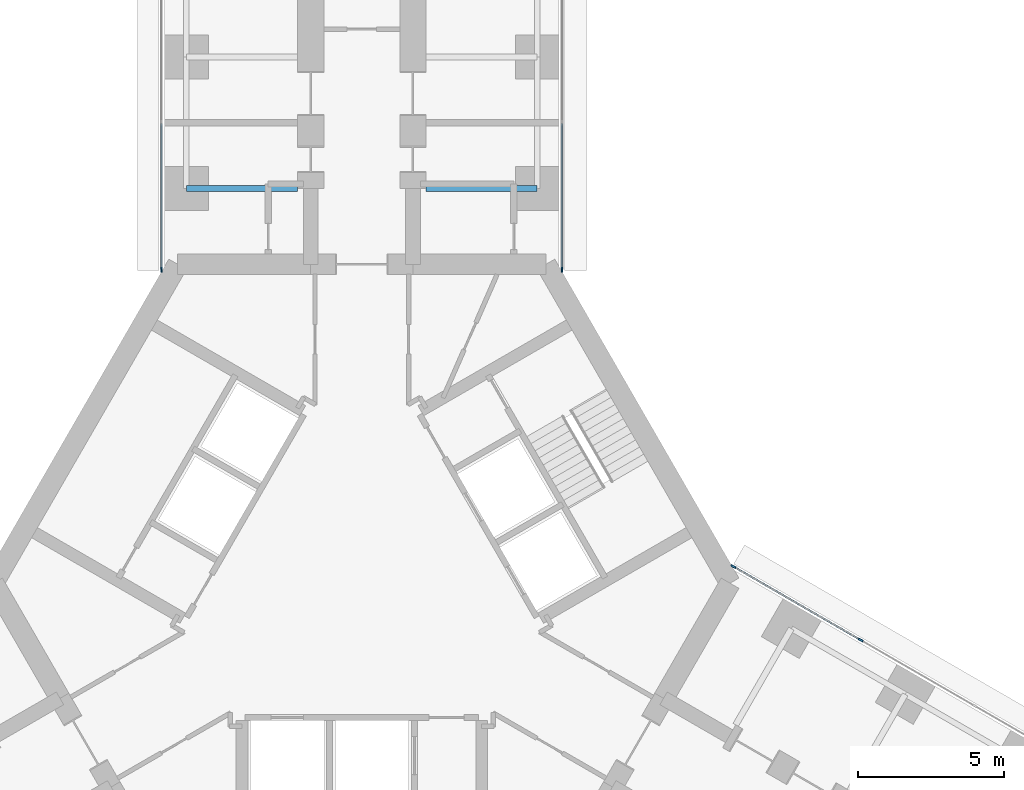
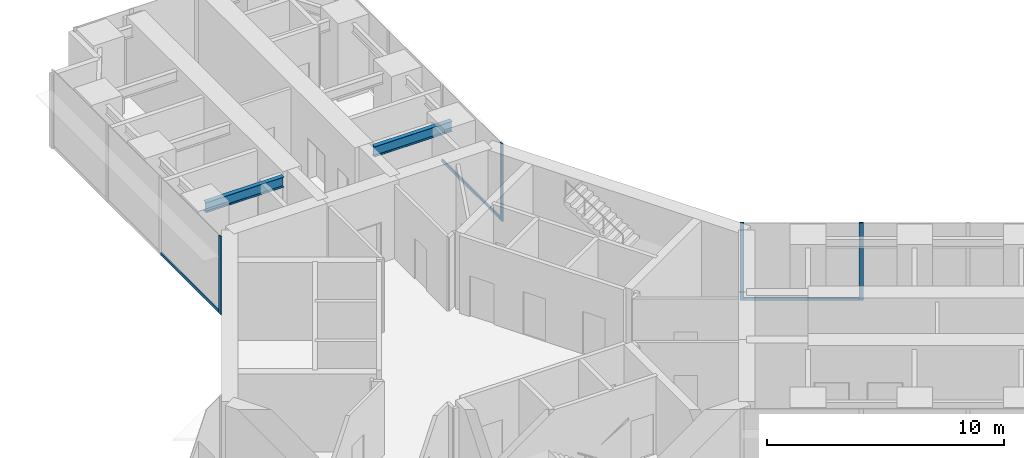
# One storey, part 11 of 23: 7 members, 2 beams, 3 elements without a shape of their own.
"""IFC4 building model written with IfcOpenShell, lengths in metres."""

from ifc_helpers import new_model, si_unit, direction, frame, origin, origin_2d, place, context, subcontext, project, spatial, rectangle, i_section, extrude, material, material_profile, profile_set, type_object, element, aggregate, save


model = new_model("IFC4")

# Units and contexts
model_context = context("Model", 3, precision=1e-05, world=origin(), true_north=direction((0.0, 1.0)))
body_context = subcontext(model_context, "Body", "Model", "MODEL_VIEW")
ifc_project = project(units=[si_unit("LENGTHUNIT", "METRE"), si_unit("AREAUNIT", "SQUARE_METRE"), si_unit("VOLUMEUNIT", "CUBIC_METRE"), si_unit("PLANEANGLEUNIT", "RADIAN"), si_unit("MASSUNIT", "GRAM", prefix="KILO")], contexts=[model_context])

# Site, building, storey
site_placement = place(None, origin())
site = spatial("IfcSite", under=ifc_project, at=site_placement, CompositionType="ELEMENT")
building_placement = place(site_placement, origin())
building = spatial("IfcBuilding", under=site, at=building_placement, Name="Upepo Twin Towers", CompositionType="ELEMENT")
storey_placement = place(building_placement, frame((0.0, 0.0, 28.5)))
storey = spatial("IfcBuildingStorey", under=building, at=storey_placement, Name="L06", CompositionType="ELEMENT", Elevation=28.5)

# Beams
ifc_material_1 = material(Name="Steel S355", Category="steel")
ifc_material_profile_1 = material_profile(ifc_material_1, i_section(OverallWidth=0.209228515625, OverallDepth=0.533203125, WebThickness=0.010009765625, FlangeThickness=0.015625, FilletRadius=0.0126953125, at=origin_2d()), Name="UB 533x210x92")
ifc_profile_set_1 = profile_set([ifc_material_profile_1], Name="Steel S355")
beam_type = type_object("IfcBeamType", Name="Beam UB 533x210x92", PredefinedType="BEAM", material=ifc_profile_set_1)
for number, where, z_axis, x_axis, name in (
    (1, (52.5, -4.5, 3.533447265625), (1.0, 0.0, 0.0), (0.0, 1.0, 0.0), "T2 girder AL at 13.5"),
    (2, (64.5, -4.5, 3.533447265625), (-1.0, 0.0, 0.0), (0.0, -1.0, 0.0), "T2 girder AR at 13.5"),
):
    element("IfcBeam", number, at=place(storey_placement, frame(where, z_axis=z_axis, x_axis=x_axis)), inside=storey, type_object=beam_type, Name=name, PredefinedType="BEAM", context=body_context, shape_type="SweptSolid", body=[
        extrude(i_section(OverallWidth=0.209228515625, OverallDepth=0.533203125, WebThickness=0.010009765625, FlangeThickness=0.015625, FilletRadius=0.0126953125, at=origin_2d()), origin(), (0.0, 0.0, 1.0), 3.800048828125),
    ])

# Curtain wall, member
ifc_material_2 = material(Name="Aluminium and fritted glass", Category="aluminium")
curtain_wall_type = type_object("IfcCurtainWallType", Name="Tower curtain wall TW1, fritted glass", PredefinedType="NOTDEFINED", material=ifc_material_2)
curtain_wall_1_placement = place(storey_placement, origin())
curtain_wall_1 = element("IfcCurtainWall", 3, at=curtain_wall_1_placement, inside=storey, type_object=curtain_wall_type, Name="T2 L06 wing A flank L curtain wall", PredefinedType="NOTDEFINED")
ifc_material_3 = material(Name="Aluminium mullion", Category="aluminium")
ifc_material_profile_2 = material_profile(ifc_material_3, rectangle(XDim=0.06494140625, YDim=0.179931640625, at=origin_2d()), Name="MULLION 65x180")
ifc_profile_set_2 = profile_set([ifc_material_profile_2], Name="Aluminium mullion")
member_type_1 = type_object("IfcMemberType", Name="Mullion 65x180 TW1", PredefinedType="MULLION", material=ifc_profile_set_2)
member_1_placement = place(storey_placement, frame((51.64990234375, -7.2802734375, 0.0), z_axis=(0.0, 0.0, 1.0), x_axis=(-1.0, 0.0, 0.0)))
member_1 = element("IfcMember", 4, at=member_1_placement, type_object=member_type_1, Name="T2 L06 wing A flank L curtain wall mullion 1", PredefinedType="MULLION", context=body_context, shape_type="SweptSolid", body=[
    extrude(rectangle(XDim=0.06494140625, YDim=0.179931640625, at=origin_2d()), origin(), (0.0, 0.0, 1.0), 4.0),
])

curtain_wall_2_placement = place(storey_placement, origin())
curtain_wall_2 = element("IfcCurtainWall", 5, at=curtain_wall_2_placement, inside=storey, type_object=curtain_wall_type, Name="T2 L06 wing A flank R curtain wall", PredefinedType="NOTDEFINED")
member_2_placement = place(storey_placement, frame((65.35009765625, -7.2802734375, 0.0), z_axis=(0.0, 0.0, 1.0), x_axis=(1.0, 0.0, 0.0)))
member_2 = element("IfcMember", 6, at=member_2_placement, type_object=member_type_1, Name="T2 L06 wing A flank R curtain wall mullion 4", PredefinedType="MULLION", context=body_context, shape_type="SweptSolid", body=[
    extrude(rectangle(XDim=0.06494140625, YDim=0.179931640625, at=origin_2d()), origin(), (0.0, 0.0, 1.0), 4.0),
])

# Curtain wall, members
curtain_wall_3_placement = place(storey_placement, origin())
curtain_wall_3 = element("IfcCurtainWall", 7, at=curtain_wall_3_placement, inside=storey, type_object=curtain_wall_type, Name="T2 L06 wing C flank L curtain wall", PredefinedType="NOTDEFINED")
member_3_placement = place(storey_placement, frame((71.20849609375, -17.427490234375, 0.0), z_axis=(0.0, 0.0, 1.0), x_axis=(0.500000024426, 0.866025389682, 0.0)))
member_3 = element("IfcMember", 8, at=member_3_placement, type_object=member_type_1, Name="T2 L06 wing C flank L curtain wall mullion 1", PredefinedType="MULLION", context=body_context, shape_type="SweptSolid", body=[
    extrude(rectangle(XDim=0.06494140625, YDim=0.179931640625, at=origin_2d()), origin(), (0.0, 0.0, 1.0), 4.0),
])
member_4_placement = place(storey_placement, frame((75.56494140625, -19.942626953125, 0.0), z_axis=(0.0, 0.0, 1.0), x_axis=(0.500000024426, 0.866025389682, 0.0)))
member_4 = element("IfcMember", 9, at=member_4_placement, type_object=member_type_1, Name="T2 L06 wing C flank L curtain wall mullion 2", PredefinedType="MULLION", context=body_context, shape_type="SweptSolid", body=[
    extrude(rectangle(XDim=0.06494140625, YDim=0.179931640625, at=origin_2d()), origin(), (0.0, 0.0, 1.0), 4.0),
])

# Member
ifc_material_4 = material(Name="Aluminium transom", Category="aluminium")
ifc_material_profile_3 = material_profile(ifc_material_4, rectangle(XDim=0.06494140625, YDim=0.14990234375, at=origin_2d()), Name="TRANSOM 65x150")
ifc_profile_set_3 = profile_set([ifc_material_profile_3], Name="Aluminium transom")
member_type_2 = type_object("IfcMemberType", Name="Transom 65x150 TW1", PredefinedType="USERDEFINED", material=ifc_profile_set_3)
member_5_placement = place(storey_placement, frame((51.64990234375, -7.247802734375, 0.074951171875), z_axis=(0.0, 1.0, 0.0), x_axis=(-1.0, 0.0, 0.0)))
member_5 = element("IfcMember", 10, at=member_5_placement, type_object=member_type_2, Name="T2 L06 wing A flank L curtain wall transom 1", ObjectType="TRANSOM", PredefinedType="USERDEFINED", context=body_context, shape_type="SweptSolid", body=[
    extrude(rectangle(XDim=0.06494140625, YDim=0.14990234375, at=origin_2d()), origin(), (0.0, 0.0, 1.0), 4.96533203125),
])

aggregate(curtain_wall_1, [member_1, member_5])

member_6_placement = place(storey_placement, frame((65.35009765625, -2.282470703125, 0.074951171875), z_axis=(0.0, -1.0, 0.0), x_axis=(1.0, 0.0, 0.0)))
member_6 = element("IfcMember", 11, at=member_6_placement, type_object=member_type_2, Name="T2 L06 wing A flank R curtain wall transom 3", ObjectType="TRANSOM", PredefinedType="USERDEFINED", context=body_context, shape_type="SweptSolid", body=[
    extrude(rectangle(XDim=0.06494140625, YDim=0.14990234375, at=origin_2d()), origin(), (0.0, 0.0, 1.0), 4.96533203125),
])

aggregate(curtain_wall_2, [member_2, member_6])

member_7_placement = place(storey_placement, frame((71.236572265625, -17.44384765625, 0.074951171875), z_axis=(0.866034933967, -0.499983492876, 0.0), x_axis=(0.499983492876, 0.866034933967, 0.0)))
member_7 = element("IfcMember", 12, at=member_7_placement, type_object=member_type_2, Name="T2 L06 wing C flank L curtain wall transom 1", ObjectType="TRANSOM", PredefinedType="USERDEFINED", context=body_context, shape_type="SweptSolid", body=[
    extrude(rectangle(XDim=0.06494140625, YDim=0.14990234375, at=origin_2d()), origin(), (0.0, 0.0, 1.0), 4.965576171875),
])

aggregate(curtain_wall_3, [member_3, member_4, member_7])

save(model, "model.ifc")
